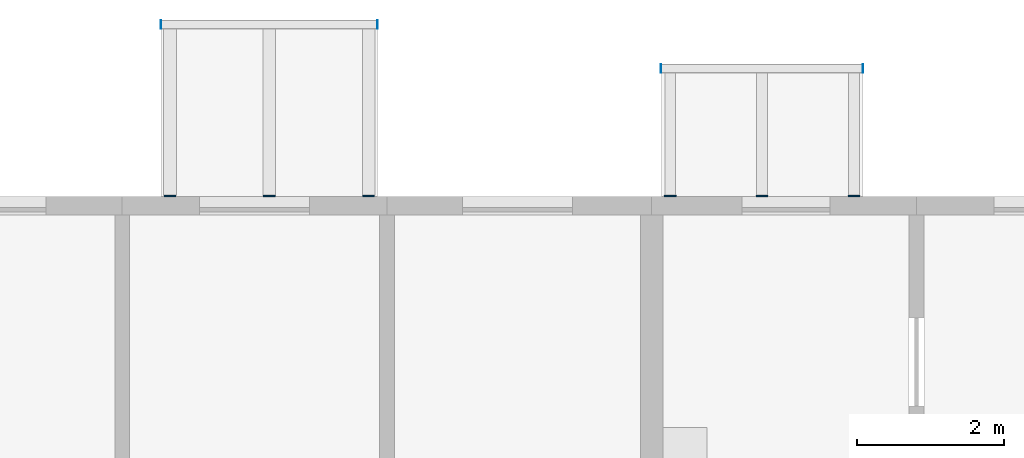
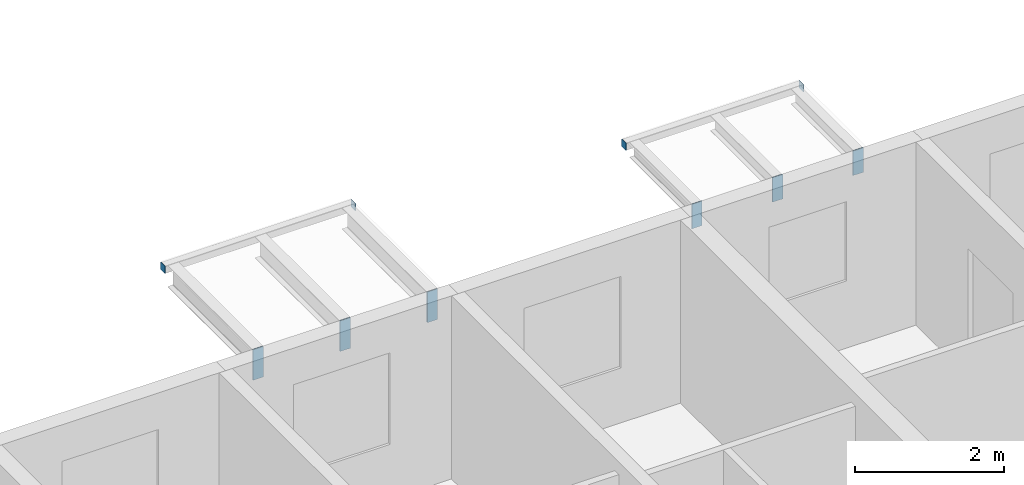
# One storey, part 74 of 99: 10 discrete accessories.
"""IFC4 building model written with IfcOpenShell, lengths in metres."""

from ifc_helpers import new_model, si_unit, direction, frame, origin, origin_2d, place, context, subcontext, project, spatial, rectangle, extrude, material, layer, layer_set, type_object, element, save


model = new_model("IFC4")

# Units and contexts
model_context = context("Model", 3, precision=1e-05, world=origin(), true_north=direction((0.0, 1.0)))
body_context = subcontext(model_context, "Body", "Model", "MODEL_VIEW")
ifc_project = project(units=[si_unit("LENGTHUNIT", "METRE"), si_unit("AREAUNIT", "SQUARE_METRE"), si_unit("VOLUMEUNIT", "CUBIC_METRE"), si_unit("PLANEANGLEUNIT", "RADIAN"), si_unit("MASSUNIT", "GRAM", prefix="KILO")], contexts=[model_context])

# Site, building, storey
site_placement = place(None, origin())
site = spatial("IfcSite", under=ifc_project, at=site_placement, CompositionType="ELEMENT")
building_placement = place(site_placement, origin())
building = spatial("IfcBuilding", under=site, at=building_placement, Name="Ridgestep Commons", CompositionType="ELEMENT")
storey_placement = place(building_placement, frame((0.0, 0.0, 15.0)))
storey = spatial("IfcBuildingStorey", under=building, at=storey_placement, Name="L05", CompositionType="ELEMENT", Elevation=15.0)

# Discrete accessories
ifc_material_1 = material(Name="Weathering steel S355J2W", Category="steel")
ifc_layer_1 = layer(ifc_material_1, 0.014892578125)
ifc_layer_set_1 = layer_set([ifc_layer_1], Name="Tray bracket plate 15")
discrete_accessory_type_1 = type_object("IfcDiscreteAccessoryType", Name="Tray bracket plate 15", PredefinedType="BRACKET", material=ifc_layer_set_1)
for number, where, z_axis, x_axis, name in (
    (1, (207.449951171875, 77.257568359375, 2.488525390625), (0.0, 0.0, 1.0), (1.0, 0.0, 0.0), "Tray bracket C4T2-06.1"),
    (2, (208.800048828125, 77.257568359375, 2.488525390625), (0.0, 0.0, 1.0), (1.0, 0.0, 0.0), "Tray bracket C4T2-06.2"),
    (3, (210.14990234375, 77.257568359375, 2.488525390625), (0.0, 0.0, 1.0), (1.0, 0.0, 0.0), "Tray bracket C4T2-06.3"),
):
    element("IfcDiscreteAccessory", number, at=place(storey_placement, frame(where, z_axis=z_axis, x_axis=x_axis)), inside=storey, type_object=discrete_accessory_type_1, Name=name, PredefinedType="BRACKET", context=body_context, shape_type="SweptSolid", body=[
        extrude(rectangle(XDim=0.159912109375, YDim=0.014892578125, at=origin_2d()), origin(), (0.0, 0.0, 1.0), 0.50146484375),
    ])
for number, where, z_axis, x_axis, name in (
    (4, (214.25, 77.257568359375, 2.588623046875), (0.0, 0.0, 1.0), (1.0, 0.0, 0.0), "Tray bracket C5T1-06.1"),
    (5, (215.5, 77.257568359375, 2.588623046875), (0.0, 0.0, 1.0), (1.0, 0.0, 0.0), "Tray bracket C5T1-06.2"),
    (6, (216.75, 77.257568359375, 2.588623046875), (0.0, 0.0, 1.0), (1.0, 0.0, 0.0), "Tray bracket C5T1-06.3"),
):
    element("IfcDiscreteAccessory", number, at=place(storey_placement, frame(where, z_axis=z_axis, x_axis=x_axis)), inside=storey, type_object=discrete_accessory_type_1, Name=name, PredefinedType="BRACKET", context=body_context, shape_type="SweptSolid", body=[
        extrude(rectangle(XDim=0.159912109375, YDim=0.014892578125, at=origin_2d()), origin(), (0.0, 0.0, 1.0), 0.4013671875),
    ])
ifc_material_2 = material(Name="Weathering steel S355J2W", Category="steel")
ifc_layer_2 = layer(ifc_material_2, 0.008056640625)
ifc_layer_set_2 = layer_set([ifc_layer_2], Name="Tray edge member end plate 120 x 120 x 8")
discrete_accessory_type_2 = type_object("IfcDiscreteAccessoryType", Name="Tray edge member end plate 120 x 120 x 8", PredefinedType="BRACKET", material=ifc_layer_set_2)
for number, where, z_axis, x_axis, name in (
    (7, (207.325927734375, 79.590087890625, 2.869873046875), (0.0, 0.0, 1.0), (1.0, 0.0, 0.0), "Tray edge member end plate C4T2-06 west"),
    (8, (210.27392578125, 79.590087890625, 2.869873046875), (0.0, 0.0, 1.0), (1.0, 0.0, 0.0), "Tray edge member end plate C4T2-06 east"),
    (9, (214.1259765625, 78.989990234375, 2.869873046875), (0.0, 0.0, 1.0), (1.0, 0.0, 0.0), "Tray edge member end plate C5T1-06 west"),
    (10, (216.8740234375, 78.989990234375, 2.869873046875), (0.0, 0.0, 1.0), (1.0, 0.0, 0.0), "Tray edge member end plate C5T1-06 east"),
):
    element("IfcDiscreteAccessory", number, at=place(storey_placement, frame(where, z_axis=z_axis, x_axis=x_axis)), inside=storey, type_object=discrete_accessory_type_2, Name=name, PredefinedType="BRACKET", context=body_context, shape_type="SweptSolid", body=[
        extrude(rectangle(XDim=0.008056640625, YDim=0.1201171875, at=origin_2d()), origin(), (0.0, 0.0, 1.0), 0.1201171875),
    ])

save(model, "model.ifc")
